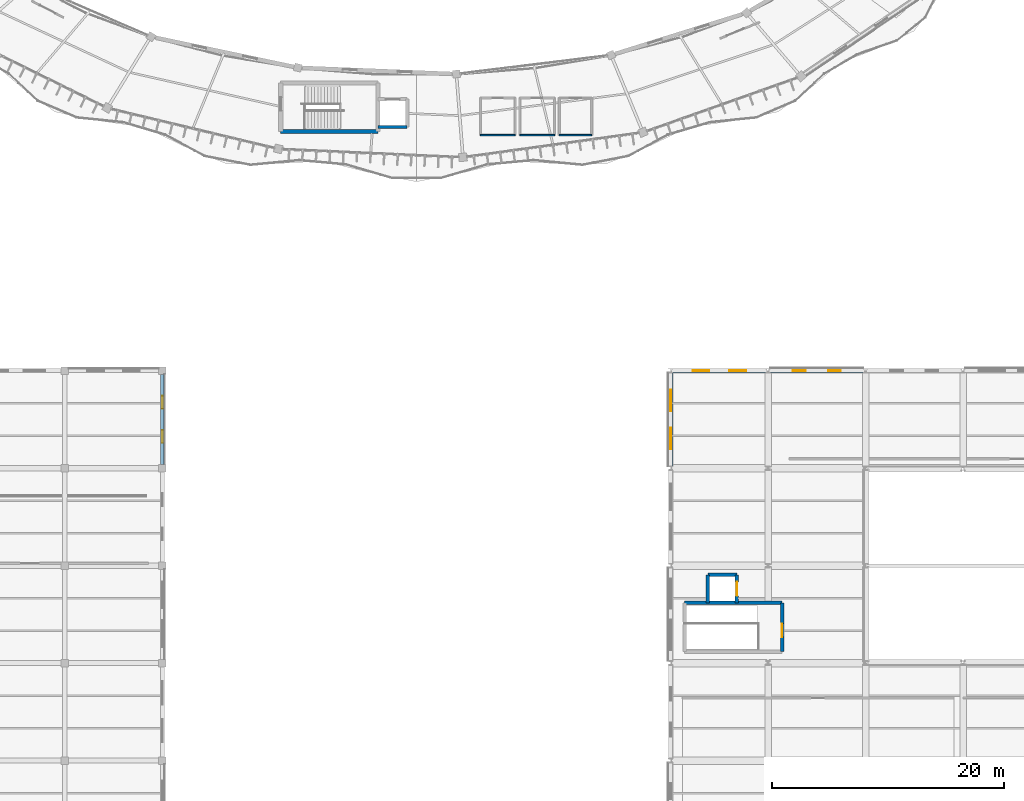
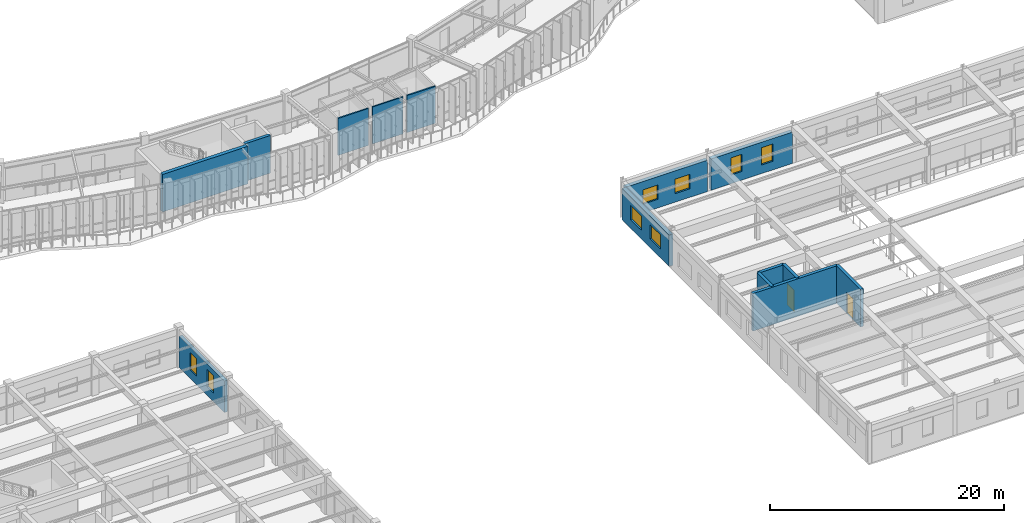
# One storey, part 112 of 138: 14 walls, 8 windows, 2 doors, 10 openings.
"""IFC4 building model written with IfcOpenShell, lengths in metres."""

from ifc_helpers import new_model, si_unit, direction, frame, frame_2d, origin, place, context, subcontext, project, spatial, rectangle, extrude, material, layer, layer_set, type_object, element, fill, save


model = new_model("IFC4")

# Units and contexts
model_context = context("Model", 3, precision=1e-05, world=origin(), true_north=direction((0.0, 1.0)))
body_context = subcontext(model_context, "Body", "Model", "MODEL_VIEW")
ifc_project = project(units=[si_unit("LENGTHUNIT", "METRE"), si_unit("AREAUNIT", "SQUARE_METRE"), si_unit("VOLUMEUNIT", "CUBIC_METRE"), si_unit("PLANEANGLEUNIT", "RADIAN"), si_unit("MASSUNIT", "GRAM", prefix="KILO"), si_unit("THERMODYNAMICTEMPERATUREUNIT", "KELVIN"), si_unit("POWERUNIT", "WATT")], contexts=[model_context])

# Site, building, storey
site_placement = place(None, origin())
site = spatial("IfcSite", under=ifc_project, at=site_placement, CompositionType="ELEMENT")
building_placement = place(site_placement, origin())
building = spatial("IfcBuilding", under=site, at=building_placement, Name="Darbajah Civic Hall", CompositionType="ELEMENT")
storey_placement = place(building_placement, frame((0.0, 0.0, 9.60009765625)))
storey = spatial("IfcBuildingStorey", under=building, at=storey_placement, Name="L02", CompositionType="ELEMENT", Elevation=9.60009765625)

# Wall
ifc_material_1 = material(Name="Concrete C45/55", Category="concrete")
ifc_layer_1 = layer(ifc_material_1, 0.300048828125, Name="Concrete C45/55")
ifc_layer_set_1 = layer_set([ifc_layer_1], Name="Concrete C45/55")
wall_type_1 = type_object("IfcWallType", Name="Core Shear Wall 300mm", PredefinedType="SHEAR", material=ifc_layer_set_1)
wall_1_placement = place(storey_placement, frame((85.800048828125, 63.0, 0.0), z_axis=(0.0, 0.0, 1.0), x_axis=(1.0, 0.0, 0.0)))
element("IfcWall", 1, at=wall_1_placement, inside=storey, type_object=wall_type_1, Name="L02 lift PL1 shaft wall S", PredefinedType="SHEAR", context=body_context, shape_type="SweptSolid", body=[
    extrude(rectangle(XDim=2.5, YDim=0.300048828125, at=frame_2d((1.25, 0.0))), origin(), (0.0, 0.0, 1.0), 3.919921875),
])

# Wall, opening, door
wall_2_placement = place(storey_placement, frame((120.60009765625, 17.800048828125, 0.0), z_axis=(0.0, 0.0, 1.0), x_axis=(0.0, 1.0, 0.0)))
wall_2 = element("IfcWall", 2, at=wall_2_placement, inside=storey, type_object=wall_type_1, Name="L02 core C06 shear wall E", PredefinedType="SHEAR", context=body_context, shape_type="SweptSolid", body=[
    extrude(rectangle(XDim=4.199951171875, YDim=0.300048828125, at=frame_2d((2.10009765625, 0.0))), origin(), (0.0, 0.0, 1.0), 3.919921875),
])
opening_1_placement = place(wall_2_placement, frame((1.25, 0.0, 0.0)))
opening_1 = element("IfcOpeningElement", 3, at=opening_1_placement, cuts=wall_2, Name="Opening SD-0075", PredefinedType="OPENING", context=body_context, shape_type="SweptSolid", body=[
    extrude(rectangle(XDim=1.14990234375, YDim=2.199951171875, at=frame_2d((0.574951171875, 1.10009765625))), frame((0.0, 0.159912109375, 0.0), z_axis=(0.0, -1.0, 0.0), x_axis=(1.0, 0.0, 0.0)), (0.0, 0.0, 1.0), 0.320068359375),
])
ifc_material_2 = material(Name="Steel Rated Core Door", Category="steel")
door_type_1 = type_object("IfcDoorType", Name="Interior Door 1150x2200", OperationType="NOTDEFINED", PredefinedType="DOOR", material=ifc_material_2)
door_1_placement = place(opening_1_placement, origin())
door_1 = element("IfcDoor", 4, at=door_1_placement, inside=storey, type_object=door_type_1, Name="L02 stair ST06 fire door SD-0075", OperationType="SINGLE_SWING_RIGHT", OverallHeight=2.199951171875, OverallWidth=1.14990234375, PredefinedType="DOOR", context=body_context, shape_type="SweptSolid", body=[
    extrude(rectangle(XDim=1.14990234375, YDim=2.199951171875, at=frame_2d((0.574951171875, 1.10009765625))), frame((0.0, 0.02490234375, 0.0), z_axis=(0.0, -1.0, 0.0), x_axis=(1.0, 0.0, 0.0)), (0.0, 0.0, 1.0), 0.050048828125),
])
fill(opening_1, door_1)

# Walls
wall_3_placement = place(storey_placement, frame((120.60009765625, 22.0, 0.0), z_axis=(0.0, 0.0, 1.0), x_axis=(-1.0, 0.0, 0.0)))
element("IfcWall", 5, at=wall_3_placement, inside=storey, type_object=wall_type_1, Name="L02 core C06 shear wall N", PredefinedType="SHEAR", context=body_context, shape_type="SweptSolid", body=[
    extrude(rectangle(XDim=8.400146484375, YDim=0.300048828125, at=frame_2d((4.2001953125, 0.0))), origin(), (0.0, 0.0, 1.0), 3.919921875),
])
wall_4_placement = place(storey_placement, frame((116.699951171875, 24.39990234375, 0.0), z_axis=(0.0, 0.0, 1.0), x_axis=(-1.0, 0.0, 0.0)))
element("IfcWall", 6, at=wall_4_placement, inside=storey, type_object=wall_type_1, Name="L02 lift PL3 shaft wall N", PredefinedType="SHEAR", context=body_context, shape_type="SweptSolid", body=[
    extrude(rectangle(XDim=2.5, YDim=0.300048828125, at=frame_2d((1.25, 0.0))), origin(), (0.0, 0.0, 1.0), 3.919921875),
])
wall_5_placement = place(storey_placement, frame((114.199951171875, 24.39990234375, 0.0), z_axis=(0.0, 0.0, 1.0), x_axis=(0.0, -1.0, 0.0)))
element("IfcWall", 7, at=wall_5_placement, inside=storey, type_object=wall_type_1, Name="L02 lift PL3 shaft wall W", PredefinedType="SHEAR", context=body_context, shape_type="SweptSolid", body=[
    extrude(rectangle(XDim=2.39990234375, YDim=0.300048828125, at=frame_2d((1.199951171875, 0.0))), origin(), (0.0, 0.0, 1.0), 3.919921875),
])

# Wall, opening, door
wall_6_placement = place(storey_placement, frame((116.699951171875, 22.0, 0.0), z_axis=(0.0, 0.0, 1.0), x_axis=(0.0, 1.0, 0.0)))
wall_6 = element("IfcWall", 8, at=wall_6_placement, inside=storey, type_object=wall_type_1, Name="L02 lift PL3 shaft wall E", PredefinedType="SHEAR", context=body_context, shape_type="SweptSolid", body=[
    extrude(rectangle(XDim=2.39990234375, YDim=0.300048828125, at=frame_2d((1.199951171875, 0.0))), origin(), (0.0, 0.0, 1.0), 3.919921875),
])
opening_2_placement = place(wall_6_placement, frame((0.60009765625, 0.0, 0.0)))
opening_2 = element("IfcOpeningElement", 9, at=opening_2_placement, cuts=wall_6, Name="Opening LD-0079", PredefinedType="OPENING", context=body_context, shape_type="SweptSolid", body=[
    extrude(rectangle(XDim=1.199951171875, YDim=2.25, at=frame_2d((0.60009765625, 1.125))), frame((0.0, 0.159912109375, 0.0), z_axis=(0.0, -1.0, 0.0), x_axis=(1.0, 0.0, 0.0)), (0.0, 0.0, 1.0), 0.320068359375),
])
ifc_material_3 = material(Name="Stainless Lift Landing Door")
door_type_2 = type_object("IfcDoorType", Name="Lift Landing Door 1200x2250", OperationType="SLIDING_TO_LEFT", PredefinedType="DOOR", material=ifc_material_3)
door_2_placement = place(opening_2_placement, origin())
door_2 = element("IfcDoor", 10, at=door_2_placement, inside=storey, type_object=door_type_2, Name="L02 lift PL3 landing door LD-0079", OperationType="SLIDING_TO_LEFT", OverallHeight=2.25, OverallWidth=1.199951171875, PredefinedType="DOOR", context=body_context, shape_type="SweptSolid", body=[
    extrude(rectangle(XDim=1.199951171875, YDim=2.25, at=frame_2d((0.60009765625, 1.125))), frame((0.0, 0.02490234375, 0.0), z_axis=(0.0, -1.0, 0.0), x_axis=(1.0, 0.0, 0.0)), (0.0, 0.0, 1.0), 0.050048828125),
])
fill(opening_2, door_2)

# Wall
ifc_material_4 = material(Name="Concrete C50/60", Category="concrete")
ifc_layer_2 = layer(ifc_material_4, 0.35009765625, Name="Concrete C50/60")
ifc_layer_set_2 = layer_set([ifc_layer_2], Name="Concrete C50/60")
wall_type_2 = type_object("IfcWallType", Name="Core Shear Wall 350mm", PredefinedType="SHEAR", material=ifc_layer_set_2)
wall_7_placement = place(storey_placement, frame((77.39990234375, 62.60009765625, 0.0), z_axis=(0.0, 0.0, 1.0), x_axis=(1.0, 0.0, 0.0)))
element("IfcWall", 11, at=wall_7_placement, inside=storey, type_object=wall_type_2, Name="L02 core C03 shear wall S", PredefinedType="SHEAR", context=body_context, shape_type="SweptSolid", body=[
    extrude(rectangle(XDim=8.400146484375, YDim=0.35009765625, at=frame_2d((4.2001953125, 0.0))), origin(), (0.0, 0.0, 1.0), 3.919921875),
])

# Wall, openings, windows
ifc_material_5 = material(Name="Red Dholpur Sandstone Cladding", Category="masonry")
ifc_layer_3 = layer(ifc_material_5, 0.31005859375, Name="Red Dholpur Sandstone Cladding")
ifc_layer_set_3 = layer_set([ifc_layer_3], Name="Red Dholpur Sandstone Cladding")
wall_type_3 = type_object("IfcWallType", Name="Exterior Wall 310mm", PredefinedType="SOLIDWALL", material=ifc_layer_set_3)
wall_8_placement = place(storey_placement, frame((67.199951171875, 33.927001953125, 0.0), z_axis=(0.0, 0.0, 1.0), x_axis=(0.0, 1.0, 0.0)))
wall_8 = element("IfcWall", 12, at=wall_8_placement, inside=storey, type_object=wall_type_3, Name="L02 exterior wall EW-310", PredefinedType="SOLIDWALL", context=body_context, shape_type="SweptSolid", body=[
    extrude(rectangle(XDim=7.74609375, YDim=0.31005859375, at=frame_2d((3.873046875, 0.0))), origin(), (0.0, 0.0, 1.0), 3.289794921875),
])
opening_3_placement = place(wall_8_placement, frame((1.8486328125, 0.0, 0.89990234375)))
opening_3 = element("IfcOpeningElement", 13, at=opening_3_placement, cuts=wall_8, Name="Opening WN-17", PredefinedType="OPENING", context=body_context, shape_type="SweptSolid", body=[
    extrude(rectangle(XDim=1.10009765625, YDim=1.800048828125, at=frame_2d((0.550048828125, 0.89990234375))), frame((0.0, 0.1650390625, 0.0), z_axis=(0.0, -1.0, 0.0), x_axis=(1.0, 0.0, 0.0)), (0.0, 0.0, 1.0), 0.330078125),
])
opening_4_placement = place(wall_8_placement, frame((4.79736328125, 0.0, 0.89990234375)))
opening_4 = element("IfcOpeningElement", 14, at=opening_4_placement, cuts=wall_8, Name="Opening WN-17", PredefinedType="OPENING", context=body_context, shape_type="SweptSolid", body=[
    extrude(rectangle(XDim=1.10009765625, YDim=1.800048828125, at=frame_2d((0.550048828125, 0.89990234375))), frame((0.0, 0.1650390625, 0.0), z_axis=(0.0, -1.0, 0.0), x_axis=(1.0, 0.0, 0.0)), (0.0, 0.0, 1.0), 0.330078125),
])
ifc_material_6 = material(Name="Low-E Solar Control Double Glazing", Category="glass")
window_type_1 = type_object("IfcWindowType", Name="Facade Window 1100x1800", PartitioningType="SINGLE_PANEL", PredefinedType="WINDOW", material=ifc_material_6)
window_1_placement = place(opening_3_placement, origin())
window_1 = element("IfcWindow", 15, at=window_1_placement, inside=storey, type_object=window_type_1, Name="L02 facade window WN-17", OverallHeight=1.800048828125, OverallWidth=1.10009765625, PartitioningType="SINGLE_PANEL", PredefinedType="WINDOW", context=body_context, shape_type="SweptSolid", body=[
    extrude(rectangle(XDim=1.10009765625, YDim=1.800048828125, at=frame_2d((0.550048828125, 0.89990234375))), frame((0.0, 0.030029296875, 0.0), z_axis=(0.0, -1.0, 0.0), x_axis=(1.0, 0.0, 0.0)), (0.0, 0.0, 1.0), 0.06005859375),
])
fill(opening_3, window_1)
window_2_placement = place(opening_4_placement, origin())
window_2 = element("IfcWindow", 16, at=window_2_placement, inside=storey, type_object=window_type_1, Name="L02 facade window WN-17", OverallHeight=1.800048828125, OverallWidth=1.10009765625, PartitioningType="SINGLE_PANEL", PredefinedType="WINDOW", context=body_context, shape_type="SweptSolid", body=[
    extrude(rectangle(XDim=1.10009765625, YDim=1.800048828125, at=frame_2d((0.550048828125, 0.89990234375))), frame((0.0, 0.030029296875, 0.0), z_axis=(0.0, -1.0, 0.0), x_axis=(1.0, 0.0, 0.0)), (0.0, 0.0, 1.0), 0.06005859375),
])
fill(opening_4, window_2)

ifc_layer_4 = layer(ifc_material_5, 0.3798828125, Name="Red Dholpur Sandstone Cladding")
ifc_layer_set_4 = layer_set([ifc_layer_4], Name="Red Dholpur Sandstone Cladding")
wall_type_4 = type_object("IfcWallType", Name="Exterior Wall 380mm", PredefinedType="SOLIDWALL", material=ifc_layer_set_4)
wall_9_placement = place(storey_placement, frame((127.61181640625, 42.0, 0.0), z_axis=(0.0, 0.0, 1.0), x_axis=(-1.0, 0.0, 0.0)))
wall_9 = element("IfcWall", 17, at=wall_9_placement, inside=storey, type_object=wall_type_4, Name="L02 exterior wall EW-380", PredefinedType="SOLIDWALL", context=body_context, shape_type="SweptSolid", body=[
    extrude(rectangle(XDim=8.0234375, YDim=0.3798828125, at=frame_2d((4.01171875, 0.0))), origin(), (0.0, 0.0, 1.0), 3.27001953125),
])
opening_5_placement = place(wall_9_placement, frame((1.941162109375, 0.0, 0.89990234375)))
opening_5 = element("IfcOpeningElement", 18, at=opening_5_placement, cuts=wall_9, Name="Opening WN-17", PredefinedType="OPENING", context=body_context, shape_type="SweptSolid", body=[
    extrude(rectangle(XDim=1.10009765625, YDim=1.800048828125, at=frame_2d((0.550048828125, 0.89990234375))), frame((0.0, 0.199951171875, 0.0), z_axis=(0.0, -1.0, 0.0), x_axis=(1.0, 0.0, 0.0)), (0.0, 0.0, 1.0), 0.39990234375),
])
opening_6_placement = place(wall_9_placement, frame((4.982421875, 0.0, 0.89990234375)))
opening_6 = element("IfcOpeningElement", 19, at=opening_6_placement, cuts=wall_9, Name="Opening WN-17", PredefinedType="OPENING", context=body_context, shape_type="SweptSolid", body=[
    extrude(rectangle(XDim=1.10009765625, YDim=1.800048828125, at=frame_2d((0.550048828125, 0.89990234375))), frame((0.0, 0.199951171875, 0.0), z_axis=(0.0, -1.0, 0.0), x_axis=(1.0, 0.0, 0.0)), (0.0, 0.0, 1.0), 0.39990234375),
])
window_3_placement = place(opening_5_placement, origin())
window_3 = element("IfcWindow", 20, at=window_3_placement, inside=storey, type_object=window_type_1, Name="L02 facade window WN-17", OverallHeight=1.800048828125, OverallWidth=1.10009765625, PartitioningType="SINGLE_PANEL", PredefinedType="WINDOW", context=body_context, shape_type="SweptSolid", body=[
    extrude(rectangle(XDim=1.10009765625, YDim=1.800048828125, at=frame_2d((0.550048828125, 0.89990234375))), frame((0.0, 0.030029296875, 0.0), z_axis=(0.0, -1.0, 0.0), x_axis=(1.0, 0.0, 0.0)), (0.0, 0.0, 1.0), 0.06005859375),
])
fill(opening_5, window_3)
window_4_placement = place(opening_6_placement, origin())
window_4 = element("IfcWindow", 21, at=window_4_placement, inside=storey, type_object=window_type_1, Name="L02 facade window WN-17", OverallHeight=1.800048828125, OverallWidth=1.10009765625, PartitioningType="SINGLE_PANEL", PredefinedType="WINDOW", context=body_context, shape_type="SweptSolid", body=[
    extrude(rectangle(XDim=1.10009765625, YDim=1.800048828125, at=frame_2d((0.550048828125, 0.89990234375))), frame((0.0, 0.030029296875, 0.0), z_axis=(0.0, -1.0, 0.0), x_axis=(1.0, 0.0, 0.0)), (0.0, 0.0, 1.0), 0.06005859375),
])
fill(opening_6, window_4)

wall_10_placement = place(storey_placement, frame((119.211669921875, 42.0, 0.0), z_axis=(0.0, 0.0, 1.0), x_axis=(-1.0, 0.0, 0.0)))
wall_10 = element("IfcWall", 22, at=wall_10_placement, inside=storey, type_object=wall_type_4, Name="L02 exterior wall EW-380", PredefinedType="SOLIDWALL", context=body_context, shape_type="SweptSolid", body=[
    extrude(rectangle(XDim=8.0234375, YDim=0.3798828125, at=frame_2d((4.01171875, 0.0))), origin(), (0.0, 0.0, 1.0), 3.27001953125),
])
opening_7_placement = place(wall_10_placement, frame((1.707763671875, 0.0, 0.89990234375)))
opening_7 = element("IfcOpeningElement", 23, at=opening_7_placement, cuts=wall_10, Name="Opening WN-25", PredefinedType="OPENING", context=body_context, shape_type="SweptSolid", body=[
    extrude(rectangle(XDim=1.449951171875, YDim=1.5, at=frame_2d((0.72509765625, 0.75))), frame((0.0, 0.199951171875, 0.0), z_axis=(0.0, -1.0, 0.0), x_axis=(1.0, 0.0, 0.0)), (0.0, 0.0, 1.0), 0.39990234375),
])
opening_8_placement = place(wall_10_placement, frame((4.865478515625, 0.0, 0.89990234375)))
opening_8 = element("IfcOpeningElement", 24, at=opening_8_placement, cuts=wall_10, Name="Opening WN-25", PredefinedType="OPENING", context=body_context, shape_type="SweptSolid", body=[
    extrude(rectangle(XDim=1.449951171875, YDim=1.5, at=frame_2d((0.72509765625, 0.75))), frame((0.0, 0.199951171875, 0.0), z_axis=(0.0, -1.0, 0.0), x_axis=(1.0, 0.0, 0.0)), (0.0, 0.0, 1.0), 0.39990234375),
])
window_type_2 = type_object("IfcWindowType", Name="Facade Window 1450x1500", PartitioningType="SINGLE_PANEL", PredefinedType="WINDOW", material=ifc_material_6)
window_5_placement = place(opening_7_placement, origin())
window_5 = element("IfcWindow", 25, at=window_5_placement, inside=storey, type_object=window_type_2, Name="L02 facade window WN-25", OverallHeight=1.5, OverallWidth=1.449951171875, PartitioningType="SINGLE_PANEL", PredefinedType="WINDOW", context=body_context, shape_type="SweptSolid", body=[
    extrude(rectangle(XDim=1.449951171875, YDim=1.5, at=frame_2d((0.72509765625, 0.75))), frame((0.0, 0.030029296875, 0.0), z_axis=(0.0, -1.0, 0.0), x_axis=(1.0, 0.0, 0.0)), (0.0, 0.0, 1.0), 0.06005859375),
])
fill(opening_7, window_5)
window_6_placement = place(opening_8_placement, origin())
window_6 = element("IfcWindow", 26, at=window_6_placement, inside=storey, type_object=window_type_2, Name="L02 facade window WN-25", OverallHeight=1.5, OverallWidth=1.449951171875, PartitioningType="SINGLE_PANEL", PredefinedType="WINDOW", context=body_context, shape_type="SweptSolid", body=[
    extrude(rectangle(XDim=1.449951171875, YDim=1.5, at=frame_2d((0.72509765625, 0.75))), frame((0.0, 0.030029296875, 0.0), z_axis=(0.0, -1.0, 0.0), x_axis=(1.0, 0.0, 0.0)), (0.0, 0.0, 1.0), 0.06005859375),
])
fill(opening_8, window_6)

wall_11_placement = place(storey_placement, frame((111.0, 41.81396484375, 0.0), z_axis=(0.0, 0.0, 1.0), x_axis=(0.0, -1.0, 0.0)))
wall_11 = element("IfcWall", 27, at=wall_11_placement, inside=storey, type_object=wall_type_4, Name="L02 exterior wall EW-380", PredefinedType="SOLIDWALL", context=body_context, shape_type="SweptSolid", body=[
    extrude(rectangle(XDim=8.02783203125, YDim=0.3798828125, at=frame_2d((4.013916015625, 0.0))), origin(), (0.0, 0.0, 1.0), 3.27001953125),
])
opening_9_placement = place(wall_11_placement, frame((1.442626953125, 0.0, 0.89990234375)))
opening_9 = element("IfcOpeningElement", 28, at=opening_9_placement, cuts=wall_11, Name="Opening WN-26", PredefinedType="OPENING", context=body_context, shape_type="SweptSolid", body=[
    extrude(rectangle(XDim=1.85009765625, YDim=1.5, at=frame_2d((0.925048828125, 0.75))), frame((0.0, 0.199951171875, 0.0), z_axis=(0.0, -1.0, 0.0), x_axis=(1.0, 0.0, 0.0)), (0.0, 0.0, 1.0), 0.39990234375),
])
opening_10_placement = place(wall_11_placement, frame((4.735107421875, 0.0, 0.89990234375)))
opening_10 = element("IfcOpeningElement", 29, at=opening_10_placement, cuts=wall_11, Name="Opening WN-26", PredefinedType="OPENING", context=body_context, shape_type="SweptSolid", body=[
    extrude(rectangle(XDim=1.85009765625, YDim=1.5, at=frame_2d((0.925048828125, 0.75))), frame((0.0, 0.199951171875, 0.0), z_axis=(0.0, -1.0, 0.0), x_axis=(1.0, 0.0, 0.0)), (0.0, 0.0, 1.0), 0.39990234375),
])
window_type_3 = type_object("IfcWindowType", Name="Facade Window 1850x1500", PartitioningType="DOUBLE_PANEL_VERTICAL", PredefinedType="WINDOW", material=ifc_material_6)
window_7_placement = place(opening_9_placement, origin())
window_7 = element("IfcWindow", 30, at=window_7_placement, inside=storey, type_object=window_type_3, Name="L02 facade window WN-26", OverallHeight=1.5, OverallWidth=1.85009765625, PartitioningType="SINGLE_PANEL", PredefinedType="WINDOW", context=body_context, shape_type="SweptSolid", body=[
    extrude(rectangle(XDim=1.85009765625, YDim=1.5, at=frame_2d((0.925048828125, 0.75))), frame((0.0, 0.030029296875, 0.0), z_axis=(0.0, -1.0, 0.0), x_axis=(1.0, 0.0, 0.0)), (0.0, 0.0, 1.0), 0.06005859375),
])
fill(opening_9, window_7)
window_8_placement = place(opening_10_placement, origin())
window_8 = element("IfcWindow", 31, at=window_8_placement, inside=storey, type_object=window_type_3, Name="L02 facade window WN-26", OverallHeight=1.5, OverallWidth=1.85009765625, PartitioningType="SINGLE_PANEL", PredefinedType="WINDOW", context=body_context, shape_type="SweptSolid", body=[
    extrude(rectangle(XDim=1.85009765625, YDim=1.5, at=frame_2d((0.925048828125, 0.75))), frame((0.0, 0.030029296875, 0.0), z_axis=(0.0, -1.0, 0.0), x_axis=(1.0, 0.0, 0.0)), (0.0, 0.0, 1.0), 0.06005859375),
])
fill(opening_10, window_8)

# Walls
ifc_material_7 = material(Name="Gypsum Plasterboard on Steel Stud", Category="steel")
ifc_layer_5 = layer(ifc_material_7, 0.135009765625, Name="Gypsum Plasterboard on Steel Stud")
ifc_layer_set_5 = layer_set([ifc_layer_5], Name="Gypsum Plasterboard on Steel Stud")
wall_type_5 = type_object("IfcWallType", Name="Interior Partition 135mm", PredefinedType="PARTITIONING", material=ifc_layer_set_5)
for number, where, z_axis, x_axis, name in (
    (32, (94.60009765625, 62.300048828125, 0.0), (0.0, 0.0, 1.0), (1.0, 0.0, 0.0), "L02 restroom enclosure wall L02-WCM S"),
    (33, (98.0, 62.300048828125, 0.0), (0.0, 0.0, 1.0), (1.0, 0.0, 0.0), "L02 restroom enclosure wall L02-WCF S"),
):
    element("IfcWall", number, at=place(storey_placement, frame(where, z_axis=z_axis, x_axis=x_axis)), inside=storey, type_object=wall_type_5, Name=name, PredefinedType="PARTITIONING", context=body_context, shape_type="SweptSolid", body=[
        extrude(rectangle(XDim=3.0, YDim=0.135009765625, at=frame_2d((1.5, 0.0))), origin(), (0.0, 0.0, 1.0), 3.85986328125),
    ])
wall_12_placement = place(storey_placement, frame((101.39990234375, 62.300048828125, 0.0), z_axis=(0.0, 0.0, 1.0), x_axis=(1.0, 0.0, 0.0)))
element("IfcWall", 34, at=wall_12_placement, inside=storey, type_object=wall_type_5, Name="L02 restroom enclosure wall L02-WCA S", PredefinedType="PARTITIONING", context=body_context, shape_type="SweptSolid", body=[
    extrude(rectangle(XDim=2.800048828125, YDim=0.135009765625, at=frame_2d((1.39990234375, 0.0))), origin(), (0.0, 0.0, 1.0), 3.85986328125),
])

save(model, "model.ifc")
